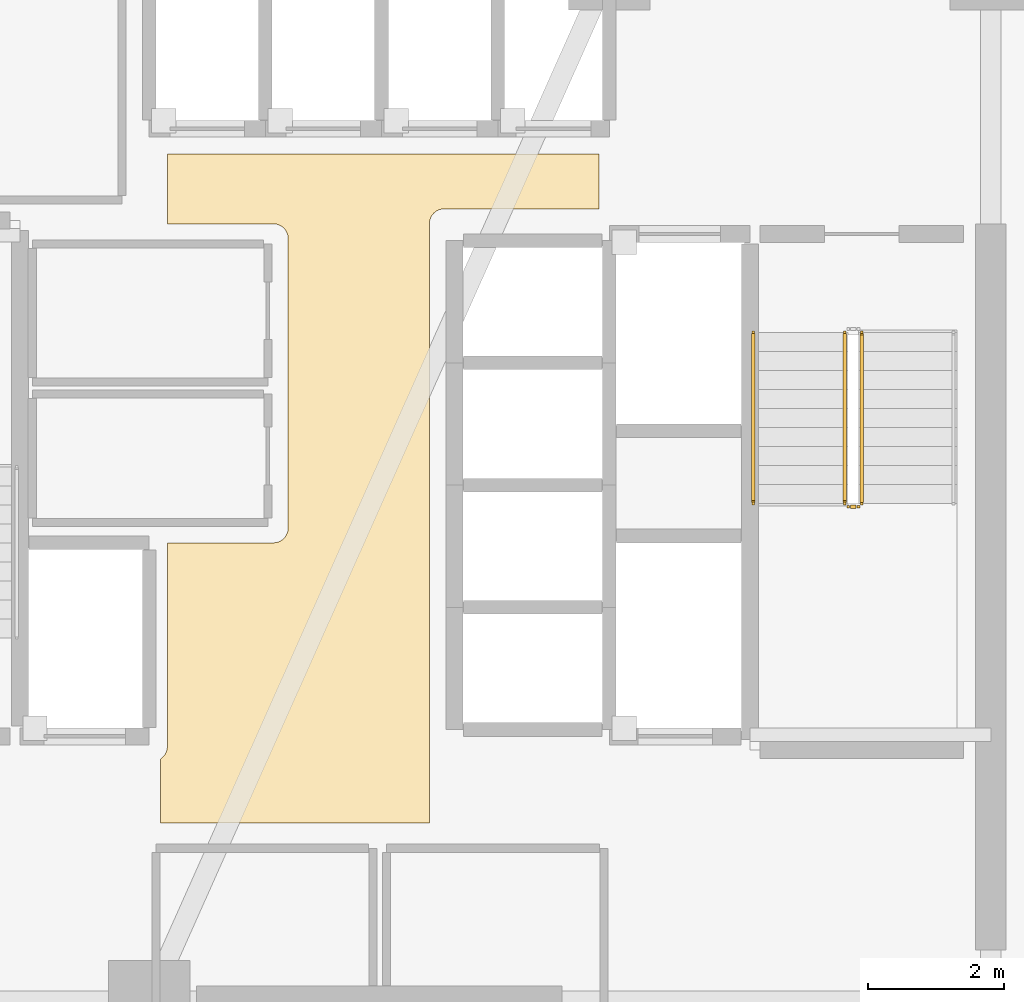
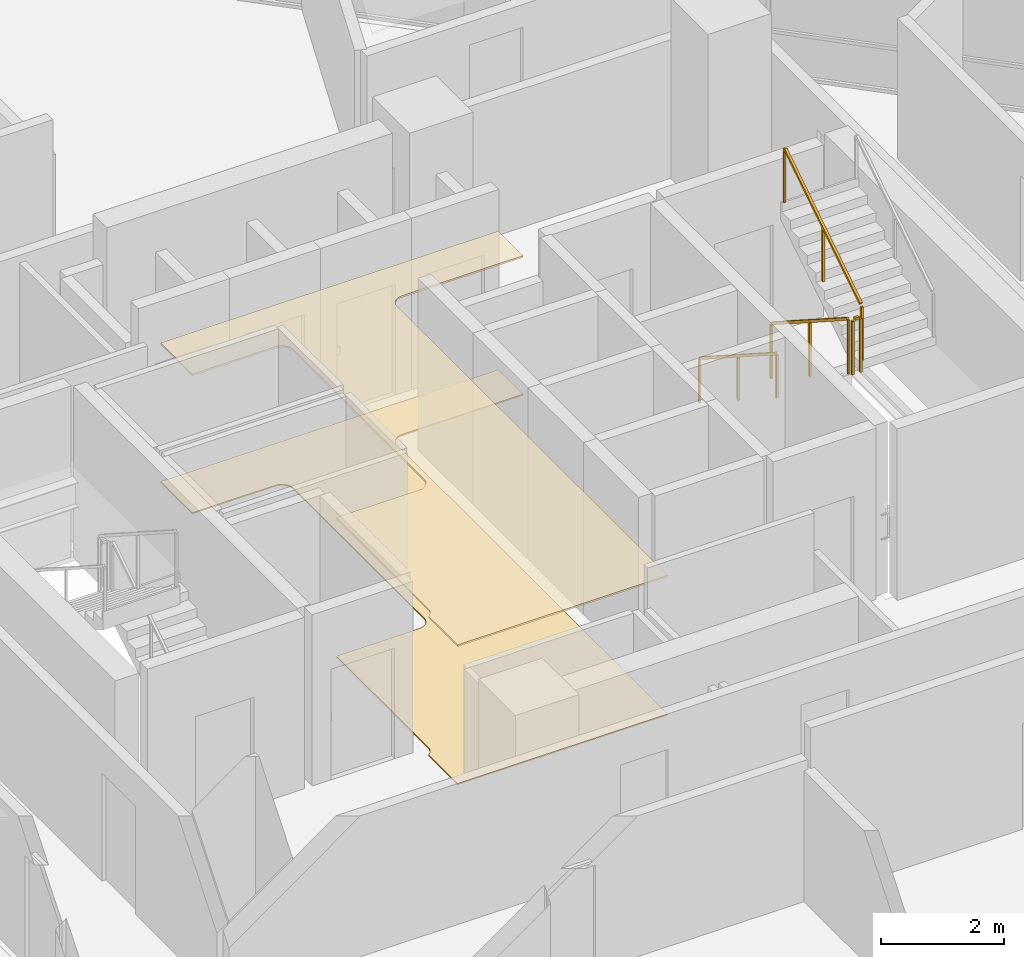
# One storey, part 16 of 19: 4 railings, 2 coverings.
"""IFC4 building model written with IfcOpenShell, lengths in metres."""

from ifc_helpers import new_model, si_unit, direction, frame, origin, origin_2d, place, context, subcontext, project, spatial, polyline, rectangle, outline, extrude, material, layer, layer_set, type_object, element, save


model = new_model("IFC4")

# Units and contexts
model_context = context("Model", 3, precision=1e-05, world=origin(), true_north=direction((0.0, 1.0)))
body_context = subcontext(model_context, "Body", "Model", "MODEL_VIEW")
ifc_project = project(units=[si_unit("LENGTHUNIT", "METRE"), si_unit("AREAUNIT", "SQUARE_METRE"), si_unit("VOLUMEUNIT", "CUBIC_METRE"), si_unit("PLANEANGLEUNIT", "RADIAN"), si_unit("MASSUNIT", "GRAM", prefix="KILO")], contexts=[model_context])

# Site, building, storey
site_placement = place(None, origin())
site = spatial("IfcSite", under=ifc_project, at=site_placement, CompositionType="ELEMENT")
building_placement = place(site_placement, origin())
building = spatial("IfcBuilding", under=site, at=building_placement, Name="Tharavind Bronze Gate", CompositionType="ELEMENT")
storey_placement = place(building_placement, frame((0.0, 0.0, 89.699951171875)))
storey = spatial("IfcBuildingStorey", under=building, at=storey_placement, Name="L22", CompositionType="ELEMENT", Elevation=89.699951171875)

# Coverings
ifc_material_1 = material(Name="Perforated Bronze Acoustic Panel", Category="bronze")
ifc_layer_1 = layer(ifc_material_1, 0.044921875)
ifc_layer_set_1 = layer_set([ifc_layer_1], Name="Perforated Bronze Acoustic Panel")
covering_type_1 = type_object("IfcCoveringType", Name="ACOUSTIC BRONZE BAFFLE CEILING", PredefinedType="CEILING", material=ifc_layer_set_1)
covering_1_placement = place(storey_placement, frame((0.0, 0.0, 2.75)))
element("IfcCovering", 1, at=covering_1_placement, inside=storey, type_object=covering_type_1, Name="L22-C-LL suspended ceiling", PredefinedType="CEILING", context=body_context, shape_type="SweptSolid", body=[
    extrude(outline(polyline([(-3.330078125, -4.97998046875), (0.6298828125, -4.97998046875), (0.6298828125, 3.85009765625), (0.631103515625, 3.87158203125), (0.63427734375, 3.892822265625), (0.639404296875, 3.913818359375), (0.646728515625, 3.93408203125), (0.656005859375, 3.95361328125), (0.6669921875, 3.97216796875), (0.679931640625, 3.989501953125), (0.6943359375, 4.005615234375), (0.71044921875, 4.02001953125), (0.727783203125, 4.032958984375), (0.746337890625, 4.0439453125), (0.765869140625, 4.05322265625), (0.7861328125, 4.060546875), (0.80712890625, 4.06591796875), (0.828369140625, 4.06884765625), (0.85009765625, 4.070068359375), (3.1298828125, 4.070068359375), (3.1298828125, 4.8798828125), (-3.22998046875, 4.8798828125), (-3.22998046875, 3.85009765625), (-1.669921875, 3.85009765625), (-1.6484375, 3.848876953125), (-1.627197265625, 3.845703125), (-1.606201171875, 3.840576171875), (-1.585693359375, 3.833251953125), (-1.56640625, 3.823974609375), (-1.5478515625, 3.81298828125), (-1.530517578125, 3.800048828125), (-1.514404296875, 3.78564453125), (-1.5, 3.76953125), (-1.487060546875, 3.752197265625), (-1.47607421875, 3.733642578125), (-1.466796875, 3.714111328125), (-1.45947265625, 3.69384765625), (-1.4541015625, 3.6728515625), (-1.451171875, 3.651611328125), (-1.449951171875, 3.6298828125), (-1.449951171875, 1.43994140625), (-1.450439453125, 1.429931640625), (-1.449951171875, 1.419921875), (-1.449951171875, -0.6298828125), (-1.451171875, -0.651611328125), (-1.4541015625, -0.6728515625), (-1.45947265625, -0.69384765625), (-1.466796875, -0.714111328125), (-1.47607421875, -0.733642578125), (-1.487060546875, -0.752197265625), (-1.5, -0.76953125), (-1.514404296875, -0.78564453125), (-1.530517578125, -0.800048828125), (-1.5478515625, -0.81298828125), (-1.56640625, -0.823974609375), (-1.585693359375, -0.833251953125), (-1.606201171875, -0.840576171875), (-1.627197265625, -0.845703125), (-1.6484375, -0.848876953125), (-1.669921875, -0.85009765625), (-3.22998046875, -0.85009765625), (-3.22998046875, -3.85009765625), (-3.231201171875, -3.87158203125), (-3.234130859375, -3.892822265625), (-3.239501953125, -3.913818359375), (-3.24658203125, -3.93408203125), (-3.256103515625, -3.95361328125), (-3.26708984375, -3.97216796875), (-3.27978515625, -3.989501953125), (-3.29443359375, -4.005615234375), (-3.310302734375, -4.02001953125), (-3.327880859375, -4.032958984375), (-3.330078125, -4.0341796875), (-3.330078125, -4.97998046875)])), origin(), (0.0, 0.0, 1.0), 0.03515625),
])
ifc_material_2 = material(Name="Honed Travertine Limestone", Category="masonry")
ifc_layer_2 = layer(ifc_material_2, 0.030029296875)
ifc_layer_set_2 = layer_set([ifc_layer_2], Name="Honed Travertine Limestone")
covering_type_2 = type_object("IfcCoveringType", Name="HONED LIMESTONE FLOORING", PredefinedType="FLOORING", material=ifc_layer_set_2)
covering_2_placement = place(storey_placement, origin())
element("IfcCovering", 2, at=covering_2_placement, inside=storey, type_object=covering_type_2, Name="L22-C-LL floor finish", PredefinedType="FLOORING", context=body_context, shape_type="SweptSolid", body=[
    extrude(outline(polyline([(-3.330078125, -4.97998046875), (0.6298828125, -4.97998046875), (0.6298828125, 3.85009765625), (0.631103515625, 3.87158203125), (0.63427734375, 3.892822265625), (0.639404296875, 3.913818359375), (0.646728515625, 3.93408203125), (0.656005859375, 3.95361328125), (0.6669921875, 3.97216796875), (0.679931640625, 3.989501953125), (0.6943359375, 4.005615234375), (0.71044921875, 4.02001953125), (0.727783203125, 4.032958984375), (0.746337890625, 4.0439453125), (0.765869140625, 4.05322265625), (0.7861328125, 4.060546875), (0.80712890625, 4.06591796875), (0.828369140625, 4.06884765625), (0.85009765625, 4.070068359375), (3.1298828125, 4.070068359375), (3.1298828125, 4.8798828125), (-3.22998046875, 4.8798828125), (-3.22998046875, 3.85009765625), (-1.669921875, 3.85009765625), (-1.6484375, 3.848876953125), (-1.627197265625, 3.845703125), (-1.606201171875, 3.840576171875), (-1.585693359375, 3.833251953125), (-1.56640625, 3.823974609375), (-1.5478515625, 3.81298828125), (-1.530517578125, 3.800048828125), (-1.514404296875, 3.78564453125), (-1.5, 3.76953125), (-1.487060546875, 3.752197265625), (-1.47607421875, 3.733642578125), (-1.466796875, 3.714111328125), (-1.45947265625, 3.69384765625), (-1.4541015625, 3.6728515625), (-1.451171875, 3.651611328125), (-1.449951171875, 3.6298828125), (-1.449951171875, 1.43994140625), (-1.450439453125, 1.429931640625), (-1.449951171875, 1.419921875), (-1.449951171875, -0.6298828125), (-1.451171875, -0.651611328125), (-1.4541015625, -0.6728515625), (-1.45947265625, -0.69384765625), (-1.466796875, -0.714111328125), (-1.47607421875, -0.733642578125), (-1.487060546875, -0.752197265625), (-1.5, -0.76953125), (-1.514404296875, -0.78564453125), (-1.530517578125, -0.800048828125), (-1.5478515625, -0.81298828125), (-1.56640625, -0.823974609375), (-1.585693359375, -0.833251953125), (-1.606201171875, -0.840576171875), (-1.627197265625, -0.845703125), (-1.6484375, -0.848876953125), (-1.669921875, -0.85009765625), (-3.22998046875, -0.85009765625), (-3.22998046875, -3.85009765625), (-3.231201171875, -3.87158203125), (-3.234130859375, -3.892822265625), (-3.239501953125, -3.913818359375), (-3.24658203125, -3.93408203125), (-3.256103515625, -3.95361328125), (-3.26708984375, -3.97216796875), (-3.27978515625, -3.989501953125), (-3.29443359375, -4.005615234375), (-3.310302734375, -4.02001953125), (-3.327880859375, -4.032958984375), (-3.330078125, -4.0341796875), (-3.330078125, -4.97998046875)])), origin(), (0.0, 0.0, 1.0), 0.025146484375),
])

# Railings
ifc_material_3 = material(Name="Brushed Bronze Alloy", Category="metal")
railing_type_1 = type_object("IfcRailingType", Name="STAIR BRONZE HANDRAIL 900", PredefinedType="HANDRAIL", material=ifc_material_3)
railing_1_placement = place(storey_placement, frame((5.39990234375, 2.25, 0.179931640625)))
element("IfcRailing", 3, at=railing_1_placement, inside=storey, type_object=railing_type_1, Name="L22 ST2 stair handrail 1", PredefinedType="HANDRAIL", context=body_context, shape_type="SweptSolid", body=[
    extrude(rectangle(XDim=0.048095703125, YDim=0.048095703125, at=origin_2d()), frame((0.0, -0.02685546875, 0.89306640625), z_axis=(0.0, -0.841162588446, 0.540782303519), x_axis=(1.0, 0.0, 0.0)), (0.0, 0.0, 1.0), 2.931884765625),
    extrude(rectangle(XDim=0.0400390625, YDim=0.0400390625, at=origin_2d()), origin(), (0.0, 0.0, 1.0), 0.847900390625),
    extrude(rectangle(XDim=0.0400390625, YDim=0.0400390625, at=origin_2d()), frame((0.0, -1.260009765625, 0.81005859375)), (0.0, 0.0, 1.0), 0.847900390625),
    extrude(rectangle(XDim=0.0400390625, YDim=0.0400390625, at=origin_2d()), frame((0.0, -2.52001953125, 1.6201171875)), (0.0, 0.0, 1.0), 0.847900390625),
])
railing_type_2 = type_object("IfcRailingType", Name="STAIR WELL GUARD RAILING 1120", PredefinedType="GUARDRAIL", material=ifc_material_3)
railing_2_placement = place(storey_placement, frame((6.75, 2.25, 0.179931640625)))
element("IfcRailing", 4, at=railing_2_placement, inside=storey, type_object=railing_type_2, Name="L22 ST2 stair guard 1", PredefinedType="GUARDRAIL", context=body_context, shape_type="SweptSolid", body=[
    extrude(rectangle(XDim=0.048095703125, YDim=0.048095703125, at=origin_2d()), frame((0.0, -0.02685546875, 1.11328125), z_axis=(0.0, -0.841162588446, 0.540782303519), x_axis=(1.0, 0.0, 0.0)), (0.0, 0.0, 1.0), 2.931884765625),
    extrude(rectangle(XDim=0.0400390625, YDim=0.0400390625, at=origin_2d()), origin(), (0.0, 0.0, 1.0), 1.068115234375),
    extrude(rectangle(XDim=0.0400390625, YDim=0.0400390625, at=origin_2d()), frame((0.0, -1.260009765625, 0.81005859375)), (0.0, 0.0, 1.0), 1.068115234375),
    extrude(rectangle(XDim=0.0400390625, YDim=0.0400390625, at=origin_2d()), frame((0.0, -2.52001953125, 1.6201171875)), (0.0, 0.0, 1.0), 1.068115234375),
])
railing_3_placement = place(storey_placement, frame((6.800048828125, -0.320068359375, 1.800048828125)))
element("IfcRailing", 5, at=railing_3_placement, inside=storey, type_object=railing_type_2, Name="L22 ST2 stair guard 2", PredefinedType="GUARDRAIL", context=body_context, shape_type="SweptSolid", body=[
    extrude(rectangle(XDim=0.048095703125, YDim=0.048095703125, at=origin_2d()), frame((0.031982421875, 0.0, 1.09619140625), z_axis=(1.0, 0.0, 0.0), x_axis=(0.0, 1.0, 0.0)), (0.0, 0.0, 1.0), 0.0859375),
    extrude(rectangle(XDim=0.0400390625, YDim=0.0400390625, at=origin_2d()), origin(), (0.0, 0.0, 1.0), 1.068115234375),
    extrude(rectangle(XDim=0.0400390625, YDim=0.0400390625, at=origin_2d()), frame((0.14990234375, 0.0, 0.0)), (0.0, 0.0, 1.0), 1.068115234375),
])
railing_4_placement = place(storey_placement, frame((7.0, -0.27001953125, 1.97998046875)))
element("IfcRailing", 6, at=railing_4_placement, inside=storey, type_object=railing_type_2, Name="L22 ST2 stair guard 3", PredefinedType="GUARDRAIL", context=body_context, shape_type="SweptSolid", body=[
    extrude(rectangle(XDim=0.048095703125, YDim=0.048095703125, at=origin_2d()), frame((0.0, 0.02685546875, 1.11328125), z_axis=(0.0, 0.841162588446, 0.540782303519), x_axis=(-1.0, 0.0, 0.0)), (0.0, 0.0, 1.0), 2.931884765625),
    extrude(rectangle(XDim=0.0400390625, YDim=0.0400390625, at=origin_2d()), origin(), (0.0, 0.0, 1.0), 1.068115234375),
    extrude(rectangle(XDim=0.0400390625, YDim=0.0400390625, at=origin_2d()), frame((0.0, 1.260009765625, 0.81005859375)), (0.0, 0.0, 1.0), 1.068115234375),
    extrude(rectangle(XDim=0.0400390625, YDim=0.0400390625, at=origin_2d()), frame((0.0, 2.52001953125, 1.6201171875)), (0.0, 0.0, 1.0), 1.068115234375),
])

save(model, "model.ifc")
